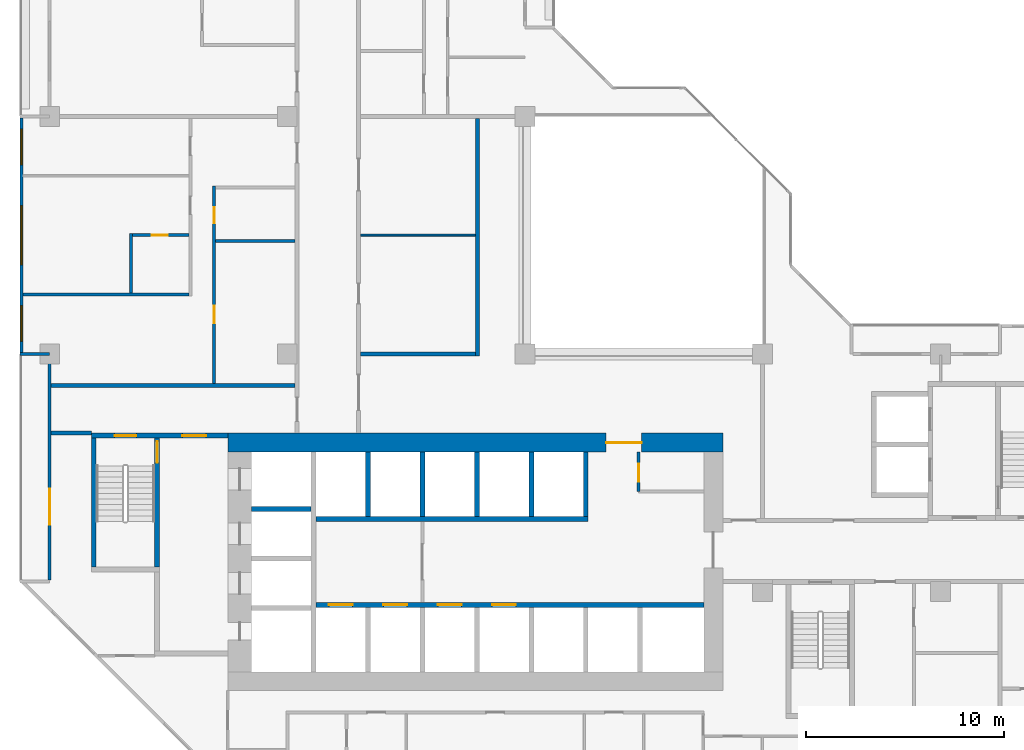
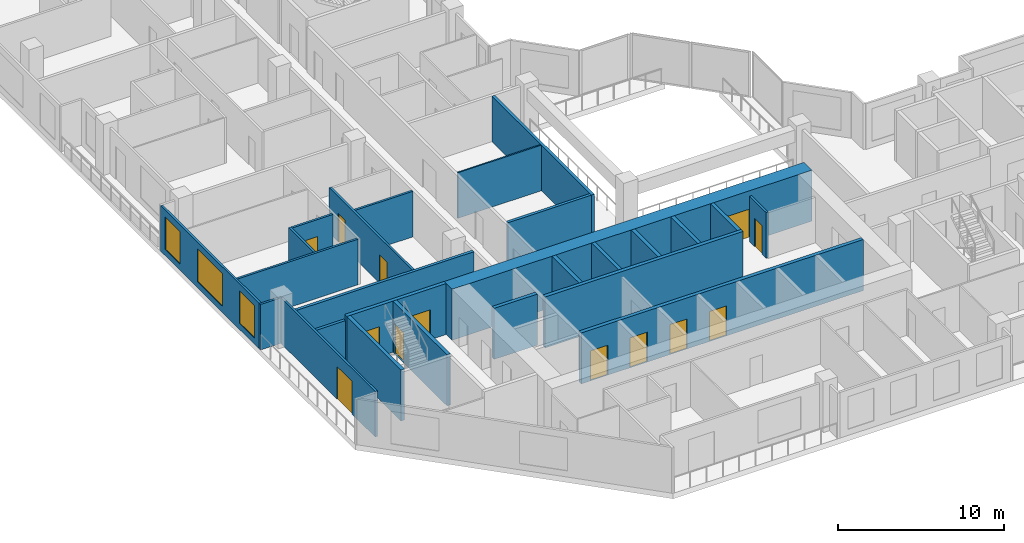
# One storey, part 5 of 15: 26 walls, 13 doors, 3 windows, 16 openings.
"""IFC4 building model written with IfcOpenShell, lengths in metres."""

from ifc_helpers import new_model, si_unit, direction, frame, frame_2d, origin, place, context, subcontext, project, spatial, rectangle, extrude, material, layer, layer_set, type_object, element, fill, save


model = new_model("IFC4")

# Units and contexts
model_context = context("Model", 3, precision=1e-05, world=origin(), true_north=direction((0.0, 1.0)))
body_context = subcontext(model_context, "Body", "Model", "MODEL_VIEW")
ifc_project = project(units=[si_unit("LENGTHUNIT", "METRE"), si_unit("AREAUNIT", "SQUARE_METRE"), si_unit("VOLUMEUNIT", "CUBIC_METRE"), si_unit("PLANEANGLEUNIT", "RADIAN"), si_unit("MASSUNIT", "GRAM", prefix="KILO")], contexts=[model_context])

# Site, building, storey
site_placement = place(None, origin())
site = spatial("IfcSite", under=ifc_project, at=site_placement, CompositionType="ELEMENT")
building_placement = place(site_placement, origin())
building = spatial("IfcBuilding", under=site, at=building_placement, Name="Chenar Terraces", CompositionType="ELEMENT")
storey_placement = place(building_placement, frame((0.0, 0.0, 133.14990234375)))
storey = spatial("IfcBuildingStorey", under=building, at=storey_placement, Name="L31", CompositionType="ELEMENT", Elevation=133.14990234375)

# Wall, opening, door
ifc_material_1 = material(Name="Gypsum board on steel studs", Category="steel")
ifc_layer_1 = layer(ifc_material_1, 0.14990234375)
ifc_layer_set_1 = layer_set([ifc_layer_1], Name="Gypsum board on steel studs")
wall_type_1 = type_object("IfcWallType", Name="Core partition 150 gypsum board", PredefinedType="PARTITIONING", material=ifc_layer_set_1)
wall_1_placement = place(storey_placement, frame((29.75, 17.050048828125, 0.0), z_axis=(0.0, 0.0, 1.0), x_axis=(0.0, 1.0, 0.0)))
wall_1 = element("IfcWall", 1, at=wall_1_placement, inside=storey, type_object=wall_type_1, Name="Core partition CP1 vestibule room west wall", PredefinedType="PARTITIONING", context=body_context, shape_type="SweptSolid", body=[
    extrude(rectangle(XDim=2.0, YDim=0.14990234375, at=frame_2d((1.0, 0.0))), origin(), (0.0, 0.0, 1.0), 3.35009765625),
])
opening_1_placement = place(wall_1_placement, frame((0.5, 0.0, 0.0)))
opening_1 = element("IfcOpeningElement", 2, at=opening_1_placement, cuts=wall_1, Name="Opening DL31-C13", PredefinedType="OPENING", context=body_context, shape_type="SweptSolid", body=[
    extrude(rectangle(XDim=0.89990234375, YDim=2.10009765625, at=frame_2d((0.449951171875, 1.050048828125))), frame((0.0, 0.0849609375, 0.0), z_axis=(0.0, -1.0, 0.0), x_axis=(1.0, 0.0, 0.0)), (0.0, 0.0, 1.0), 0.169921875),
])
ifc_material_2 = material(Name="Steel-framed fire-resisting door leaf", Category="steel")
door_type_1 = type_object("IfcDoorType", Name="Riser fire door FD60 900 x 2100", OperationType="SINGLE_SWING_LEFT", PredefinedType="DOOR", material=ifc_material_2)
door_1_placement = place(opening_1_placement, frame((0.89990234375, 0.0, 0.0), z_axis=(0.0, 0.0, 1.0), x_axis=(-1.0, 0.0, 0.0)))
door_1 = element("IfcDoor", 3, at=door_1_placement, inside=storey, type_object=door_type_1, Name="Core room door DL31-C13", OperationType="SINGLE_SWING_RIGHT", OverallHeight=2.10009765625, OverallWidth=0.89990234375, PredefinedType="DOOR", context=body_context, shape_type="SweptSolid", body=[
    extrude(rectangle(XDim=0.89990234375, YDim=2.10009765625, at=frame_2d((0.449951171875, 1.050048828125))), frame((0.0, 0.02490234375, 0.0), z_axis=(0.0, -1.0, 0.0), x_axis=(1.0, 0.0, 0.0)), (0.0, 0.0, 1.0), 0.050048828125),
])
fill(opening_1, door_1)

# Wall, openings, doors
ifc_material_3 = material(Name="Concrete C70/85", Category="concrete")
ifc_layer_2 = layer(ifc_material_3, 0.25)
ifc_layer_set_2 = layer_set([ifc_layer_2], Name="Concrete C70/85")
wall_type_2 = type_object("IfcWallType", Name="Core wall 250 Concrete C70/85", PredefinedType="SHEAR", material=ifc_layer_set_2)
wall_2_placement = place(storey_placement, frame((13.449951171875, 11.324951171875, 0.0), z_axis=(0.0, 0.0, 1.0), x_axis=(1.0, 0.0, 0.0)))
wall_2 = element("IfcWall", 4, at=wall_2_placement, inside=storey, type_object=wall_type_2, Name="Core wall SF L31", PredefinedType="SHEAR", context=body_context, shape_type="SweptSolid", body=[
    extrude(rectangle(XDim=19.60009765625, YDim=0.25, at=frame_2d((9.800048828125, 0.0))), origin(), (0.0, 0.0, 1.0), 3.75),
])
opening_2_placement = place(wall_2_placement, frame((0.64990234375, 0.0, 0.0)))
opening_2 = element("IfcOpeningElement", 5, at=opening_2_placement, cuts=wall_2, Name="Opening DL31-LD1", PredefinedType="OPENING", context=body_context, shape_type="SweptSolid", body=[
    extrude(rectangle(XDim=1.199951171875, YDim=2.199951171875, at=frame_2d((0.60009765625, 1.10009765625))), frame((0.0, 0.135009765625, 0.0), z_axis=(0.0, -1.0, 0.0), x_axis=(1.0, 0.0, 0.0)), (0.0, 0.0, 1.0), 0.27001953125),
])
opening_3_placement = place(wall_2_placement, frame((3.39990234375, 0.0, 0.0)))
opening_3 = element("IfcOpeningElement", 6, at=opening_3_placement, cuts=wall_2, Name="Opening DL31-LD2", PredefinedType="OPENING", context=body_context, shape_type="SweptSolid", body=[
    extrude(rectangle(XDim=1.199951171875, YDim=2.199951171875, at=frame_2d((0.60009765625, 1.10009765625))), frame((0.0, 0.135009765625, 0.0), z_axis=(0.0, -1.0, 0.0), x_axis=(1.0, 0.0, 0.0)), (0.0, 0.0, 1.0), 0.27001953125),
])
opening_4_placement = place(wall_2_placement, frame((6.14990234375, 0.0, 0.0)))
opening_4 = element("IfcOpeningElement", 7, at=opening_4_placement, cuts=wall_2, Name="Opening DL31-LD3", PredefinedType="OPENING", context=body_context, shape_type="SweptSolid", body=[
    extrude(rectangle(XDim=1.199951171875, YDim=2.199951171875, at=frame_2d((0.60009765625, 1.10009765625))), frame((0.0, 0.135009765625, 0.0), z_axis=(0.0, -1.0, 0.0), x_axis=(1.0, 0.0, 0.0)), (0.0, 0.0, 1.0), 0.27001953125),
])
opening_5_placement = place(wall_2_placement, frame((8.89990234375, 0.0, 0.0)))
opening_5 = element("IfcOpeningElement", 8, at=opening_5_placement, cuts=wall_2, Name="Opening DL31-LD4", PredefinedType="OPENING", context=body_context, shape_type="SweptSolid", body=[
    extrude(rectangle(XDim=1.199951171875, YDim=2.199951171875, at=frame_2d((0.60009765625, 1.10009765625))), frame((0.0, 0.135009765625, 0.0), z_axis=(0.0, -1.0, 0.0), x_axis=(1.0, 0.0, 0.0)), (0.0, 0.0, 1.0), 0.27001953125),
])
ifc_material_4 = material(Name="Stainless steel", Category="steel")
door_type_2 = type_object("IfcDoorType", Name="Lift landing door 1200 x 2200 sliding", OperationType="DOUBLE_DOOR_SLIDING", PredefinedType="DOOR", material=ifc_material_4)
door_2_placement = place(opening_2_placement, origin())
door_2 = element("IfcDoor", 9, at=door_2_placement, inside=storey, type_object=door_type_2, Name="Landing door L1", OperationType="DOUBLE_DOOR_SLIDING", OverallHeight=2.199951171875, OverallWidth=1.199951171875, PredefinedType="DOOR", context=body_context, shape_type="SweptSolid", body=[
    extrude(rectangle(XDim=1.199951171875, YDim=2.199951171875, at=frame_2d((0.60009765625, 1.10009765625))), frame((0.0, 0.02490234375, 0.0), z_axis=(0.0, -1.0, 0.0), x_axis=(1.0, 0.0, 0.0)), (0.0, 0.0, 1.0), 0.050048828125),
])
fill(opening_2, door_2)
door_3_placement = place(opening_3_placement, origin())
door_3 = element("IfcDoor", 10, at=door_3_placement, inside=storey, type_object=door_type_2, Name="Landing door L2", OperationType="DOUBLE_DOOR_SLIDING", OverallHeight=2.199951171875, OverallWidth=1.199951171875, PredefinedType="DOOR", context=body_context, shape_type="SweptSolid", body=[
    extrude(rectangle(XDim=1.199951171875, YDim=2.199951171875, at=frame_2d((0.60009765625, 1.10009765625))), frame((0.0, 0.02490234375, 0.0), z_axis=(0.0, -1.0, 0.0), x_axis=(1.0, 0.0, 0.0)), (0.0, 0.0, 1.0), 0.050048828125),
])
fill(opening_3, door_3)
door_4_placement = place(opening_4_placement, origin())
door_4 = element("IfcDoor", 11, at=door_4_placement, inside=storey, type_object=door_type_2, Name="Landing door L3", OperationType="DOUBLE_DOOR_SLIDING", OverallHeight=2.199951171875, OverallWidth=1.199951171875, PredefinedType="DOOR", context=body_context, shape_type="SweptSolid", body=[
    extrude(rectangle(XDim=1.199951171875, YDim=2.199951171875, at=frame_2d((0.60009765625, 1.10009765625))), frame((0.0, 0.02490234375, 0.0), z_axis=(0.0, -1.0, 0.0), x_axis=(1.0, 0.0, 0.0)), (0.0, 0.0, 1.0), 0.050048828125),
])
fill(opening_4, door_4)
door_5_placement = place(opening_5_placement, origin())
door_5 = element("IfcDoor", 12, at=door_5_placement, inside=storey, type_object=door_type_2, Name="Landing door L4", OperationType="DOUBLE_DOOR_SLIDING", OverallHeight=2.199951171875, OverallWidth=1.199951171875, PredefinedType="DOOR", context=body_context, shape_type="SweptSolid", body=[
    extrude(rectangle(XDim=1.199951171875, YDim=2.199951171875, at=frame_2d((0.60009765625, 1.10009765625))), frame((0.0, 0.02490234375, 0.0), z_axis=(0.0, -1.0, 0.0), x_axis=(1.0, 0.0, 0.0)), (0.0, 0.0, 1.0), 0.050048828125),
])
fill(opening_5, door_5)

# Walls
wall_3_placement = place(storey_placement, frame((13.449951171875, 15.675048828125, 0.0), z_axis=(0.0, 0.0, 1.0), x_axis=(1.0, 0.0, 0.0)))
element("IfcWall", 13, at=wall_3_placement, inside=storey, type_object=wall_type_2, Name="Core wall NF L31", PredefinedType="SHEAR", context=body_context, shape_type="SweptSolid", body=[
    extrude(rectangle(XDim=13.75, YDim=0.25, at=frame_2d((6.875, 0.0))), origin(), (0.0, 0.0, 1.0), 3.75),
])
wall_4_placement = place(storey_placement, frame((10.199951171875, 16.175048828125, 0.0), z_axis=(0.0, 0.0, 1.0), x_axis=(1.0, 0.0, 0.0)))
element("IfcWall", 14, at=wall_4_placement, inside=storey, type_object=wall_type_2, Name="Core wall HW2 L31", PredefinedType="SHEAR", context=body_context, shape_type="SweptSolid", body=[
    extrude(rectangle(XDim=3.0, YDim=0.25, at=frame_2d((1.5, 0.0))), origin(), (0.0, 0.0, 1.0), 3.75),
])
for number, where, z_axis, x_axis, name in (
    (15, (16.074951171875, 15.800048828125, 0.0), (0.0, 0.0, 1.0), (0.0, 1.0, 0.0), "Core wall NS0 L31"),
    (16, (18.824951171875, 15.800048828125, 0.0), (0.0, 0.0, 1.0), (0.0, 1.0, 0.0), "Core wall NS1 L31"),
    (17, (21.574951171875, 15.800048828125, 0.0), (0.0, 0.0, 1.0), (0.0, 1.0, 0.0), "Core wall NS2 L31"),
    (18, (24.324951171875, 15.800048828125, 0.0), (0.0, 0.0, 1.0), (0.0, 1.0, 0.0), "Core wall NS3 L31"),
    (19, (27.074951171875, 15.800048828125, 0.0), (0.0, 0.0, 1.0), (0.0, 1.0, 0.0), "Core wall NE L31"),
):
    element("IfcWall", number, at=place(storey_placement, frame(where, z_axis=z_axis, x_axis=x_axis)), inside=storey, type_object=wall_type_2, Name=name, PredefinedType="SHEAR", context=body_context, shape_type="SweptSolid", body=[
        extrude(rectangle(XDim=3.25, YDim=0.25, at=frame_2d((1.625, 0.0))), origin(), (0.0, 0.0, 1.0), 3.75),
    ])

# Wall, openings, doors
wall_5_placement = place(storey_placement, frame((2.10009765625, 19.875, 0.0), z_axis=(0.0, 0.0, 1.0), x_axis=(1.0, 0.0, 0.0)))
wall_5 = element("IfcWall", 20, at=wall_5_placement, inside=storey, type_object=wall_type_2, Name="Core wall A_N L31", PredefinedType="SHEAR", context=body_context, shape_type="SweptSolid", body=[
    extrude(rectangle(XDim=6.89990234375, YDim=0.25, at=frame_2d((3.449951171875, 0.0))), origin(), (0.0, 0.0, 1.0), 3.75),
])
opening_6_placement = place(wall_5_placement, frame((1.175048828125, 0.0, 0.0)))
opening_6 = element("IfcOpeningElement", 21, at=opening_6_placement, cuts=wall_5, Name="Opening DL31-C5", PredefinedType="OPENING", context=body_context, shape_type="SweptSolid", body=[
    extrude(rectangle(XDim=1.10009765625, YDim=2.199951171875, at=frame_2d((0.550048828125, 1.10009765625))), frame((0.0, 0.135009765625, 0.0), z_axis=(0.0, -1.0, 0.0), x_axis=(1.0, 0.0, 0.0)), (0.0, 0.0, 1.0), 0.27001953125),
])
opening_7_placement = place(wall_5_placement, frame((4.60009765625, 0.0, 0.0)))
opening_7 = element("IfcOpeningElement", 22, at=opening_7_placement, cuts=wall_5, Name="Opening DL31-C6", PredefinedType="OPENING", context=body_context, shape_type="SweptSolid", body=[
    extrude(rectangle(XDim=1.199951171875, YDim=2.199951171875, at=frame_2d((0.60009765625, 1.10009765625))), frame((0.0, 0.135009765625, 0.0), z_axis=(0.0, -1.0, 0.0), x_axis=(1.0, 0.0, 0.0)), (0.0, 0.0, 1.0), 0.27001953125),
])
ifc_material_5 = material(Name="Steel-framed fire-resisting door leaf", Category="steel")
door_type_3 = type_object("IfcDoorType", Name="Lobby fire door FD60 1200 x 2200", OperationType="SINGLE_SWING_LEFT", PredefinedType="DOOR", material=ifc_material_5)
door_6_placement = place(opening_7_placement, frame((1.199951171875, 0.0, 0.0), z_axis=(0.0, 0.0, 1.0), x_axis=(-1.0, 0.0, 0.0)))
door_6 = element("IfcDoor", 23, at=door_6_placement, inside=storey, type_object=door_type_3, Name="Core door DL31-C6", OperationType="SINGLE_SWING_LEFT", OverallHeight=2.199951171875, OverallWidth=1.199951171875, PredefinedType="DOOR", context=body_context, shape_type="SweptSolid", body=[
    extrude(rectangle(XDim=1.199951171875, YDim=2.199951171875, at=frame_2d((0.60009765625, 1.10009765625))), frame((0.0, 0.02490234375, 0.0), z_axis=(0.0, -1.0, 0.0), x_axis=(1.0, 0.0, 0.0)), (0.0, 0.0, 1.0), 0.050048828125),
])
fill(opening_7, door_6)
ifc_material_6 = material(Name="Steel-framed fire-resisting door leaf", Category="steel")
door_type_4 = type_object("IfcDoorType", Name="Stair fire door FD60 1100 x 2200", OperationType="SINGLE_SWING_LEFT", PredefinedType="DOOR", material=ifc_material_6)
door_7_placement = place(opening_6_placement, origin())
door_7 = element("IfcDoor", 24, at=door_7_placement, inside=storey, type_object=door_type_4, Name="Stair door DL31-C5", OperationType="SINGLE_SWING_LEFT", OverallHeight=2.199951171875, OverallWidth=1.10009765625, PredefinedType="DOOR", context=body_context, shape_type="SweptSolid", body=[
    extrude(rectangle(XDim=1.10009765625, YDim=2.199951171875, at=frame_2d((0.550048828125, 1.10009765625))), frame((0.0, 0.02490234375, 0.0), z_axis=(0.0, -1.0, 0.0), x_axis=(1.0, 0.0, 0.0)), (0.0, 0.0, 1.0), 0.050048828125),
])
fill(opening_6, door_7)

# Wall
wall_6_placement = place(storey_placement, frame((2.22509765625, 13.25, 0.0), z_axis=(0.0, 0.0, 1.0), x_axis=(0.0, 1.0, 0.0)))
element("IfcWall", 25, at=wall_6_placement, inside=storey, type_object=wall_type_2, Name="Core wall ST1_W L31", PredefinedType="SHEAR", context=body_context, shape_type="SweptSolid", body=[
    extrude(rectangle(XDim=6.5, YDim=0.25, at=frame_2d((3.25, 0.0))), origin(), (0.0, 0.0, 1.0), 3.75),
])

# Wall, opening, door
wall_7_placement = place(storey_placement, frame((5.425048828125, 13.25, 0.0), z_axis=(0.0, 0.0, 1.0), x_axis=(0.0, 1.0, 0.0)))
wall_7 = element("IfcWall", 26, at=wall_7_placement, inside=storey, type_object=wall_type_2, Name="Core wall ST1_E L31", PredefinedType="SHEAR", context=body_context, shape_type="SweptSolid", body=[
    extrude(rectangle(XDim=6.5, YDim=0.25, at=frame_2d((3.25, 0.0))), origin(), (0.0, 0.0, 1.0), 3.75),
])
opening_8_placement = place(wall_7_placement, frame((5.25, 0.0, 0.0)))
opening_8 = element("IfcOpeningElement", 27, at=opening_8_placement, cuts=wall_7, Name="Opening DL31-C3", PredefinedType="OPENING", context=body_context, shape_type="SweptSolid", body=[
    extrude(rectangle(XDim=1.10009765625, YDim=2.199951171875, at=frame_2d((0.550048828125, 1.10009765625))), frame((0.0, 0.135009765625, 0.0), z_axis=(0.0, -1.0, 0.0), x_axis=(1.0, 0.0, 0.0)), (0.0, 0.0, 1.0), 0.27001953125),
])
door_8_placement = place(opening_8_placement, origin())
door_8 = element("IfcDoor", 28, at=door_8_placement, inside=storey, type_object=door_type_4, Name="Stair door DL31-C3", OperationType="SINGLE_SWING_RIGHT", OverallHeight=2.199951171875, OverallWidth=1.10009765625, PredefinedType="DOOR", context=body_context, shape_type="SweptSolid", body=[
    extrude(rectangle(XDim=1.10009765625, YDim=2.199951171875, at=frame_2d((0.550048828125, 1.10009765625))), frame((0.0, 0.02490234375, 0.0), z_axis=(0.0, -1.0, 0.0), x_axis=(1.0, 0.0, 0.0)), (0.0, 0.0, 1.0), 0.050048828125),
])
fill(opening_8, door_8)

ifc_material_7 = material(Name="Concrete C70/85", Category="concrete")
ifc_layer_3 = layer(ifc_material_7, 0.949951171875)
ifc_layer_set_3 = layer_set([ifc_layer_3], Name="Concrete C70/85")
wall_type_3 = type_object("IfcWallType", Name="Core wall 950 Concrete C70/85", PredefinedType="SHEAR", material=ifc_layer_set_3)
wall_8_placement = place(storey_placement, frame((9.0, 19.52490234375, 0.0), z_axis=(0.0, 0.0, 1.0), x_axis=(1.0, 0.0, 0.0)))
wall_8 = element("IfcWall", 29, at=wall_8_placement, inside=storey, type_object=wall_type_3, Name="Core wall N L31", PredefinedType="SHEAR", context=body_context, shape_type="SweptSolid", body=[
    extrude(rectangle(XDim=25.0, YDim=0.949951171875, at=frame_2d((12.5, 0.0))), origin(), (0.0, 0.0, 1.0), 3.75),
])
opening_9_placement = place(wall_8_placement, frame((19.10009765625, 0.0, 0.0)))
opening_9 = element("IfcOpeningElement", 30, at=opening_9_placement, cuts=wall_8, Name="Opening DL31-C2", PredefinedType="OPENING", context=body_context, shape_type="SweptSolid", body=[
    extrude(rectangle(XDim=1.800048828125, YDim=2.39990234375, at=frame_2d((0.89990234375, 1.199951171875))), frame((0.0, 0.48486328125, 0.0), z_axis=(0.0, -1.0, 0.0), x_axis=(1.0, 0.0, 0.0)), (0.0, 0.0, 1.0), 0.969970703125),
])
ifc_material_8 = material(Name="Steel-framed fire-resisting door leaf", Category="steel")
door_type_5 = type_object("IfcDoorType", Name="Core entrance double fire door FD60 1800 x 2400", OperationType="DOUBLE_DOOR_SINGLE_SWING", PredefinedType="DOOR", material=ifc_material_8)
door_9_placement = place(opening_9_placement, origin())
door_9 = element("IfcDoor", 31, at=door_9_placement, inside=storey, type_object=door_type_5, Name="Core door DL31-C2", OperationType="DOUBLE_DOOR_SINGLE_SWING", OverallHeight=2.39990234375, OverallWidth=1.800048828125, PredefinedType="DOOR", context=body_context, shape_type="SweptSolid", body=[
    extrude(rectangle(XDim=1.800048828125, YDim=2.39990234375, at=frame_2d((0.89990234375, 1.199951171875))), frame((0.0, 0.02490234375, 0.0), z_axis=(0.0, -1.0, 0.0), x_axis=(1.0, 0.0, 0.0)), (0.0, 0.0, 1.0), 0.050048828125),
])
fill(opening_9, door_9)

# Walls
ifc_material_9 = material(Name="Gypsum board on steel studs with fire boards", Category="steel")
ifc_layer_4 = layer(ifc_material_9, 0.199951171875)
ifc_layer_set_4 = layer_set([ifc_layer_4], Name="Gypsum board on steel studs with fire boards")
wall_type_4 = type_object("IfcWallType", Name="Corridor wall 200", PredefinedType="PARTITIONING", material=ifc_layer_set_4)
wall_9_placement = place(storey_placement, frame((0.073974609375, 20.0, 0.0), z_axis=(0.0, 0.0, 1.0), x_axis=(1.0, 0.0, 0.0)))
element("IfcWall", 32, at=wall_9_placement, inside=storey, type_object=wall_type_4, Name="Partition L31-006", PredefinedType="PARTITIONING", context=body_context, shape_type="SweptSolid", body=[
    extrude(rectangle(XDim=2.026123046875, YDim=0.199951171875, at=frame_2d((1.01318359375, 0.0))), origin(), (0.0, 0.0, 1.0), 3.35009765625),
])
wall_10_placement = place(storey_placement, frame((0.073974609375, 22.39990234375, 0.0), z_axis=(0.0, 0.0, 1.0), x_axis=(1.0, 0.0, 0.0)))
element("IfcWall", 33, at=wall_10_placement, inside=storey, type_object=wall_type_4, Name="Partition L31-007", PredefinedType="PARTITIONING", context=body_context, shape_type="SweptSolid", body=[
    extrude(rectangle(XDim=12.325927734375, YDim=0.199951171875, at=frame_2d((6.1630859375, 0.0))), origin(), (0.0, 0.0, 1.0), 3.35009765625),
])
wall_11_placement = place(storey_placement, frame((15.699951171875, 24.0, 0.0), z_axis=(0.0, 0.0, 1.0), x_axis=(1.0, 0.0, 0.0)))
element("IfcWall", 34, at=wall_11_placement, inside=storey, type_object=wall_type_4, Name="Partition L31-039", PredefinedType="PARTITIONING", context=body_context, shape_type="SweptSolid", body=[
    extrude(rectangle(XDim=5.800048828125, YDim=0.199951171875, at=frame_2d((2.89990234375, 0.0))), origin(), (0.0, 0.0, 1.0), 3.35009765625),
])
wall_12_placement = place(storey_placement, frame((21.60009765625, 23.89990234375, 0.0), z_axis=(0.0, 0.0, 1.0), x_axis=(0.0, 1.0, 0.0)))
element("IfcWall", 35, at=wall_12_placement, inside=storey, type_object=wall_type_4, Name="Partition L31-057", PredefinedType="PARTITIONING", context=body_context, shape_type="SweptSolid", body=[
    extrude(rectangle(XDim=12.0, YDim=0.199951171875, at=frame_2d((6.0, 0.0))), origin(), (0.0, 0.0, 1.0), 3.35009765625),
])

# Wall, openings, windows
ifc_material_10 = material(Name="Aluminium framed glazing", Category="aluminium")
ifc_layer_5 = layer(ifc_material_10, 0.14990234375)
ifc_layer_set_5 = layer_set([ifc_layer_5], Name="Aluminium framed glazing")
wall_type_5 = type_object("IfcWallType", Name="Glazed flush facade wall 150", PredefinedType="SOLIDWALL", material=ifc_layer_set_5)
wall_13_placement = place(storey_placement, frame((-1.425048828125, 35.925048828125, 0.0), z_axis=(0.0, 0.0, 1.0), x_axis=(0.0, -1.0, 0.0)))
wall_13 = element("IfcWall", 36, at=wall_13_placement, inside=storey, type_object=wall_type_5, Name="Glazed flush facade wall", PredefinedType="SOLIDWALL", context=body_context, shape_type="SweptSolid", body=[
    extrude(rectangle(XDim=11.85009765625, YDim=0.14990234375, at=frame_2d((5.925048828125, 0.0))), origin(), (0.0, 0.0, 1.0), 3.35009765625),
])
opening_10_placement = place(wall_13_placement, frame((0.5625, 0.0, 0.449951171875)))
opening_10 = element("IfcOpeningElement", 37, at=opening_10_placement, cuts=wall_13, Name="Opening W180x240", PredefinedType="OPENING", context=body_context, shape_type="SweptSolid", body=[
    extrude(rectangle(XDim=1.800048828125, YDim=2.39990234375, at=frame_2d((0.89990234375, 1.199951171875))), frame((0.0, 0.0849609375, 0.0), z_axis=(0.0, -1.0, 0.0), x_axis=(1.0, 0.0, 0.0)), (0.0, 0.0, 1.0), 0.169921875),
])
opening_11_placement = place(wall_13_placement, frame((4.425048828125, 0.0, 0.449951171875)))
opening_11 = element("IfcOpeningElement", 38, at=opening_11_placement, cuts=wall_13, Name="Opening W300x240", PredefinedType="OPENING", context=body_context, shape_type="SweptSolid", body=[
    extrude(rectangle(XDim=3.0, YDim=2.39990234375, at=frame_2d((1.5, 1.199951171875))), frame((0.0, 0.0849609375, 0.0), z_axis=(0.0, -1.0, 0.0), x_axis=(1.0, 0.0, 0.0)), (0.0, 0.0, 1.0), 0.169921875),
])
opening_12_placement = place(wall_13_placement, frame((9.487548828125, 0.0, 0.449951171875)))
opening_12 = element("IfcOpeningElement", 39, at=opening_12_placement, cuts=wall_13, Name="Opening W180x240", PredefinedType="OPENING", context=body_context, shape_type="SweptSolid", body=[
    extrude(rectangle(XDim=1.800048828125, YDim=2.39990234375, at=frame_2d((0.89990234375, 1.199951171875))), frame((0.0, 0.0849609375, 0.0), z_axis=(0.0, -1.0, 0.0), x_axis=(1.0, 0.0, 0.0)), (0.0, 0.0, 1.0), 0.169921875),
])
ifc_material_11 = material(Name="Low emissivity double glazing, aluminium frame", Category="aluminium")
window_type_1 = type_object("IfcWindowType", Name="Fixed light 1800 x 2400", PartitioningType="SINGLE_PANEL", PredefinedType="WINDOW", material=ifc_material_11)
window_1_placement = place(opening_10_placement, origin())
window_1 = element("IfcWindow", 40, at=window_1_placement, inside=storey, type_object=window_type_1, Name="Window", OverallHeight=2.39990234375, OverallWidth=1.800048828125, PartitioningType="SINGLE_PANEL", PredefinedType="WINDOW", context=body_context, shape_type="SweptSolid", body=[
    extrude(rectangle(XDim=1.800048828125, YDim=2.39990234375, at=frame_2d((0.89990234375, 1.199951171875))), frame((0.0, 0.030029296875, 0.0), z_axis=(0.0, -1.0, 0.0), x_axis=(1.0, 0.0, 0.0)), (0.0, 0.0, 1.0), 0.06005859375),
])
fill(opening_10, window_1)
window_2_placement = place(opening_12_placement, origin())
window_2 = element("IfcWindow", 41, at=window_2_placement, inside=storey, type_object=window_type_1, Name="Window", OverallHeight=2.39990234375, OverallWidth=1.800048828125, PartitioningType="SINGLE_PANEL", PredefinedType="WINDOW", context=body_context, shape_type="SweptSolid", body=[
    extrude(rectangle(XDim=1.800048828125, YDim=2.39990234375, at=frame_2d((0.89990234375, 1.199951171875))), frame((0.0, 0.030029296875, 0.0), z_axis=(0.0, -1.0, 0.0), x_axis=(1.0, 0.0, 0.0)), (0.0, 0.0, 1.0), 0.06005859375),
])
fill(opening_12, window_2)
ifc_material_12 = material(Name="Low emissivity double glazing, aluminium frame", Category="aluminium")
window_type_2 = type_object("IfcWindowType", Name="Fixed light 3000 x 2400", PartitioningType="SINGLE_PANEL", PredefinedType="WINDOW", material=ifc_material_12)
window_3_placement = place(opening_11_placement, origin())
window_3 = element("IfcWindow", 42, at=window_3_placement, inside=storey, type_object=window_type_2, Name="Window", OverallHeight=2.39990234375, OverallWidth=3.0, PartitioningType="SINGLE_PANEL", PredefinedType="WINDOW", context=body_context, shape_type="SweptSolid", body=[
    extrude(rectangle(XDim=3.0, YDim=2.39990234375, at=frame_2d((1.5, 1.199951171875))), frame((0.0, 0.030029296875, 0.0), z_axis=(0.0, -1.0, 0.0), x_axis=(1.0, 0.0, 0.0)), (0.0, 0.0, 1.0), 0.06005859375),
])
fill(opening_11, window_3)

# Wall, opening, door
ifc_material_13 = material(Name="Aluminium framed glazing", Category="aluminium")
ifc_layer_6 = layer(ifc_material_13, 0.14990234375)
ifc_layer_set_6 = layer_set([ifc_layer_6], Name="Aluminium framed glazing")
wall_type_6 = type_object("IfcWallType", Name="Glazed loggia back wall 150", PredefinedType="SOLIDWALL", material=ifc_layer_set_6)
wall_14_placement = place(storey_placement, frame((0.0, 23.925048828125, 0.0), z_axis=(0.0, 0.0, 1.0), x_axis=(0.0, -1.0, 0.0)))
wall_14 = element("IfcWall", 43, at=wall_14_placement, inside=storey, type_object=wall_type_6, Name="Glazed loggia back wall", PredefinedType="SOLIDWALL", context=body_context, shape_type="SweptSolid", body=[
    extrude(rectangle(XDim=11.35009765625, YDim=0.14990234375, at=frame_2d((5.675048828125, 0.0))), origin(), (0.0, 0.0, 1.0), 3.35009765625),
])
opening_13_placement = place(wall_14_placement, frame((6.737548828125, 0.0, 0.0)))
opening_13 = element("IfcOpeningElement", 44, at=opening_13_placement, cuts=wall_14, Name="Opening DL31-G4", PredefinedType="OPENING", context=body_context, shape_type="SweptSolid", body=[
    extrude(rectangle(XDim=1.800048828125, YDim=2.39990234375, at=frame_2d((0.89990234375, 1.199951171875))), frame((0.0, 0.0849609375, 0.0), z_axis=(0.0, -1.0, 0.0), x_axis=(1.0, 0.0, 0.0)), (0.0, 0.0, 1.0), 0.169921875),
])
ifc_material_14 = material(Name="Low emissivity double glazing, aluminium frame", Category="aluminium")
door_type_6 = type_object("IfcDoorType", Name="Loggia glazed double door 1800 x 2400", OperationType="DOUBLE_DOOR_SINGLE_SWING", PredefinedType="DOOR", material=ifc_material_14)
door_10_placement = place(opening_13_placement, frame((1.800048828125, 0.0, 0.0), z_axis=(0.0, 0.0, 1.0), x_axis=(-1.0, 0.0, 0.0)))
door_10 = element("IfcDoor", 45, at=door_10_placement, inside=storey, type_object=door_type_6, Name="Loggia glazed door", OperationType="DOUBLE_DOOR_SINGLE_SWING", OverallHeight=2.39990234375, OverallWidth=1.800048828125, PredefinedType="DOOR", context=body_context, shape_type="SweptSolid", body=[
    extrude(rectangle(XDim=1.800048828125, YDim=2.39990234375, at=frame_2d((0.89990234375, 1.199951171875))), frame((0.0, 0.02490234375, 0.0), z_axis=(0.0, -1.0, 0.0), x_axis=(1.0, 0.0, 0.0)), (0.0, 0.0, 1.0), 0.050048828125),
])
fill(opening_13, door_10)

# Walls
ifc_material_15 = material(Name="Gypsum board on steel studs", Category="steel")
ifc_layer_7 = layer(ifc_material_15, 0.10009765625)
ifc_layer_set_7 = layer_set([ifc_layer_7], Name="Gypsum board on steel studs")
wall_type_7 = type_object("IfcWallType", Name="Gypsum partition 100", PredefinedType="PARTITIONING", material=ifc_layer_set_7)
wall_15_placement = place(storey_placement, frame((15.699951171875, 30.0, 0.0), z_axis=(0.0, 0.0, 1.0), x_axis=(1.0, 0.0, 0.0)))
element("IfcWall", 46, at=wall_15_placement, inside=storey, type_object=wall_type_7, Name="Partition L31-040", PredefinedType="PARTITIONING", context=body_context, shape_type="SweptSolid", body=[
    extrude(rectangle(XDim=5.800048828125, YDim=0.10009765625, at=frame_2d((2.89990234375, 0.0))), origin(), (0.0, 0.0, 1.0), 3.35009765625),
])
ifc_material_16 = material(Name="Terracotta cladding on insulated backing", Category="masonry")
ifc_layer_8 = layer(ifc_material_16, 0.14990234375)
ifc_layer_set_8 = layer_set([ifc_layer_8], Name="Terracotta cladding on insulated backing")
wall_type_8 = type_object("IfcWallType", Name="Loggia return wall 150", PredefinedType="SOLIDWALL", material=ifc_layer_set_8)
wall_16_placement = place(storey_placement, frame((-1.5, 24.0, 0.0), z_axis=(0.0, 0.0, 1.0), x_axis=(1.0, 0.0, 0.0)))
element("IfcWall", 47, at=wall_16_placement, inside=storey, type_object=wall_type_8, Name="Loggia return wall", PredefinedType="SOLIDWALL", context=body_context, shape_type="SweptSolid", body=[
    extrude(rectangle(XDim=1.5, YDim=0.14990234375, at=frame_2d((0.75, 0.0))), origin(), (0.0, 0.0, 1.0), 3.35009765625),
])
ifc_material_17 = material(Name="Moisture-resistant gypsum board on steel studs", Category="steel")
ifc_layer_9 = layer(ifc_material_17, 0.14990234375)
ifc_layer_set_9 = layer_set([ifc_layer_9], Name="Moisture-resistant gypsum board on steel studs")
wall_type_9 = type_object("IfcWallType", Name="Wet-room partition 150", PredefinedType="PARTITIONING", material=ifc_layer_set_9)
wall_17_placement = place(storey_placement, frame((-1.35009765625, 27.0, 0.0), z_axis=(0.0, 0.0, 1.0), x_axis=(1.0, 0.0, 0.0)))
element("IfcWall", 48, at=wall_17_placement, inside=storey, type_object=wall_type_9, Name="Partition L31-002", PredefinedType="PARTITIONING", context=body_context, shape_type="SweptSolid", body=[
    extrude(rectangle(XDim=8.375, YDim=0.14990234375, at=frame_2d((4.1875, 0.0))), origin(), (0.0, 0.0, 1.0), 3.35009765625),
])
wall_18_placement = place(storey_placement, frame((4.10009765625, 27.074951171875, 0.0), z_axis=(0.0, 0.0, 1.0), x_axis=(0.0, 1.0, 0.0)))
element("IfcWall", 49, at=wall_18_placement, inside=storey, type_object=wall_type_9, Name="Partition L31-013", PredefinedType="PARTITIONING", context=body_context, shape_type="SweptSolid", body=[
    extrude(rectangle(XDim=3.0, YDim=0.14990234375, at=frame_2d((1.5, 0.0))), origin(), (0.0, 0.0, 1.0), 3.35009765625),
])

# Wall, opening, door
wall_19_placement = place(storey_placement, frame((4.175048828125, 30.0, 0.0), z_axis=(0.0, 0.0, 1.0), x_axis=(1.0, 0.0, 0.0)))
wall_19 = element("IfcWall", 50, at=wall_19_placement, inside=storey, type_object=wall_type_9, Name="Partition L31-015", PredefinedType="PARTITIONING", context=body_context, shape_type="SweptSolid", body=[
    extrude(rectangle(XDim=2.849853515625, YDim=0.14990234375, at=frame_2d((1.4248046875, 0.0))), origin(), (0.0, 0.0, 1.0), 3.35009765625),
])
opening_14_placement = place(wall_19_placement, frame((0.97509765625, 0.0, 0.0)))
opening_14 = element("IfcOpeningElement", 51, at=opening_14_placement, cuts=wall_19, Name="Opening DL31-71", PredefinedType="OPENING", context=body_context, shape_type="SweptSolid", body=[
    extrude(rectangle(XDim=0.800048828125, YDim=2.10009765625, at=frame_2d((0.39990234375, 1.050048828125))), frame((0.0, 0.0849609375, 0.0), z_axis=(0.0, -1.0, 0.0), x_axis=(1.0, 0.0, 0.0)), (0.0, 0.0, 1.0), 0.169921875),
])
ifc_material_18 = material(Name="Veneered timber door leaf", Category="wood")
door_type_7 = type_object("IfcDoorType", Name="Door 800 x 2100", OperationType="SINGLE_SWING_LEFT", PredefinedType="DOOR", material=ifc_material_18)
door_11_placement = place(opening_14_placement, frame((0.800048828125, 0.0, 0.0), z_axis=(0.0, 0.0, 1.0), x_axis=(-1.0, 0.0, 0.0)))
door_11 = element("IfcDoor", 52, at=door_11_placement, inside=storey, type_object=door_type_7, Name="Door DL31-71", OperationType="SINGLE_SWING_RIGHT", OverallHeight=2.10009765625, OverallWidth=0.800048828125, PredefinedType="DOOR", context=body_context, shape_type="SweptSolid", body=[
    extrude(rectangle(XDim=0.800048828125, YDim=2.10009765625, at=frame_2d((0.39990234375, 1.050048828125))), frame((0.0, 0.02490234375, 0.0), z_axis=(0.0, -1.0, 0.0), x_axis=(1.0, 0.0, 0.0)), (0.0, 0.0, 1.0), 0.050048828125),
])
fill(opening_14, door_11)

# Wall, openings, doors
wall_20_placement = place(storey_placement, frame((8.300048828125, 22.5, 0.0), z_axis=(0.0, 0.0, 1.0), x_axis=(0.0, 1.0, 0.0)))
wall_20 = element("IfcWall", 53, at=wall_20_placement, inside=storey, type_object=wall_type_9, Name="Partition L31-024", PredefinedType="PARTITIONING", context=body_context, shape_type="SweptSolid", body=[
    extrude(rectangle(XDim=9.97509765625, YDim=0.14990234375, at=frame_2d((4.987548828125, 0.0))), origin(), (0.0, 0.0, 1.0), 3.35009765625),
])
opening_15_placement = place(wall_20_placement, frame((8.10009765625, 0.0, 0.0)))
opening_15 = element("IfcOpeningElement", 54, at=opening_15_placement, cuts=wall_20, Name="Opening DL31-68", PredefinedType="OPENING", context=body_context, shape_type="SweptSolid", body=[
    extrude(rectangle(XDim=0.800048828125, YDim=2.10009765625, at=frame_2d((0.39990234375, 1.050048828125))), frame((0.0, 0.0849609375, 0.0), z_axis=(0.0, -1.0, 0.0), x_axis=(1.0, 0.0, 0.0)), (0.0, 0.0, 1.0), 0.169921875),
])
opening_16_placement = place(wall_20_placement, frame((3.050048828125, 0.0, 0.0)))
opening_16 = element("IfcOpeningElement", 55, at=opening_16_placement, cuts=wall_20, Name="Opening DL31-72", PredefinedType="OPENING", context=body_context, shape_type="SweptSolid", body=[
    extrude(rectangle(XDim=0.89990234375, YDim=2.10009765625, at=frame_2d((0.449951171875, 1.050048828125))), frame((0.0, 0.0849609375, 0.0), z_axis=(0.0, -1.0, 0.0), x_axis=(1.0, 0.0, 0.0)), (0.0, 0.0, 1.0), 0.169921875),
])
door_12_placement = place(opening_15_placement, frame((0.800048828125, 0.0, 0.0), z_axis=(0.0, 0.0, 1.0), x_axis=(-1.0, 0.0, 0.0)))
door_12 = element("IfcDoor", 56, at=door_12_placement, inside=storey, type_object=door_type_7, Name="Door DL31-68", OperationType="SINGLE_SWING_RIGHT", OverallHeight=2.10009765625, OverallWidth=0.800048828125, PredefinedType="DOOR", context=body_context, shape_type="SweptSolid", body=[
    extrude(rectangle(XDim=0.800048828125, YDim=2.10009765625, at=frame_2d((0.39990234375, 1.050048828125))), frame((0.0, 0.02490234375, 0.0), z_axis=(0.0, -1.0, 0.0), x_axis=(1.0, 0.0, 0.0)), (0.0, 0.0, 1.0), 0.050048828125),
])
fill(opening_15, door_12)
ifc_material_19 = material(Name="Veneered timber door leaf", Category="wood")
door_type_8 = type_object("IfcDoorType", Name="Door 900 x 2100", OperationType="SINGLE_SWING_LEFT", PredefinedType="DOOR", material=ifc_material_19)
door_13_placement = place(opening_16_placement, frame((0.89990234375, 0.0, 0.0), z_axis=(0.0, 0.0, 1.0), x_axis=(-1.0, 0.0, 0.0)))
door_13 = element("IfcDoor", 57, at=door_13_placement, inside=storey, type_object=door_type_8, Name="Door DL31-72", OperationType="SINGLE_SWING_LEFT", OverallHeight=2.10009765625, OverallWidth=0.89990234375, PredefinedType="DOOR", context=body_context, shape_type="SweptSolid", body=[
    extrude(rectangle(XDim=0.89990234375, YDim=2.10009765625, at=frame_2d((0.449951171875, 1.050048828125))), frame((0.0, 0.02490234375, 0.0), z_axis=(0.0, -1.0, 0.0), x_axis=(1.0, 0.0, 0.0)), (0.0, 0.0, 1.0), 0.050048828125),
])
fill(opening_16, door_13)

# Wall
wall_21_placement = place(storey_placement, frame((8.375, 29.699951171875, 0.0), z_axis=(0.0, 0.0, 1.0), x_axis=(1.0, 0.0, 0.0)))
element("IfcWall", 58, at=wall_21_placement, inside=storey, type_object=wall_type_9, Name="Partition L31-026", PredefinedType="PARTITIONING", context=body_context, shape_type="SweptSolid", body=[
    extrude(rectangle(XDim=4.02490234375, YDim=0.14990234375, at=frame_2d((2.012451171875, 0.0))), origin(), (0.0, 0.0, 1.0), 3.35009765625),
])

save(model, "model.ifc")
